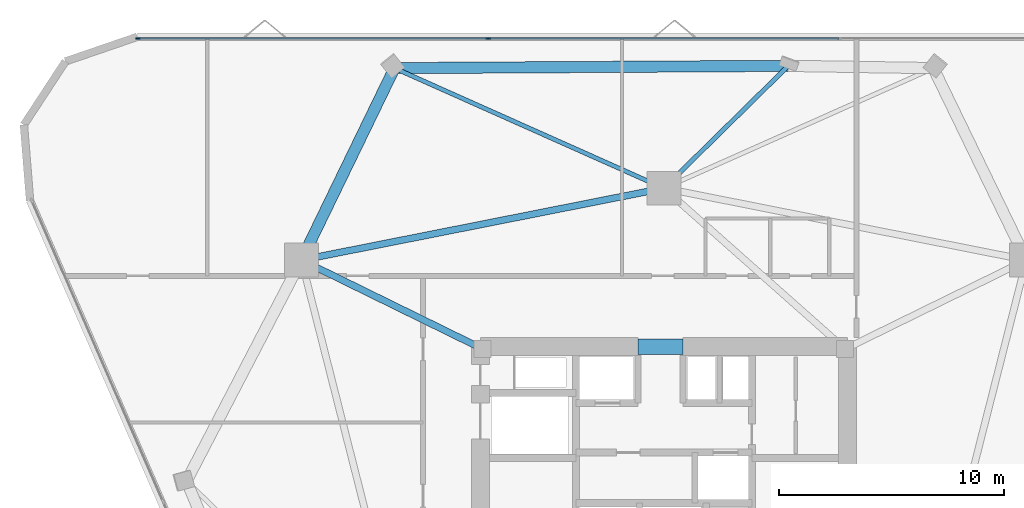
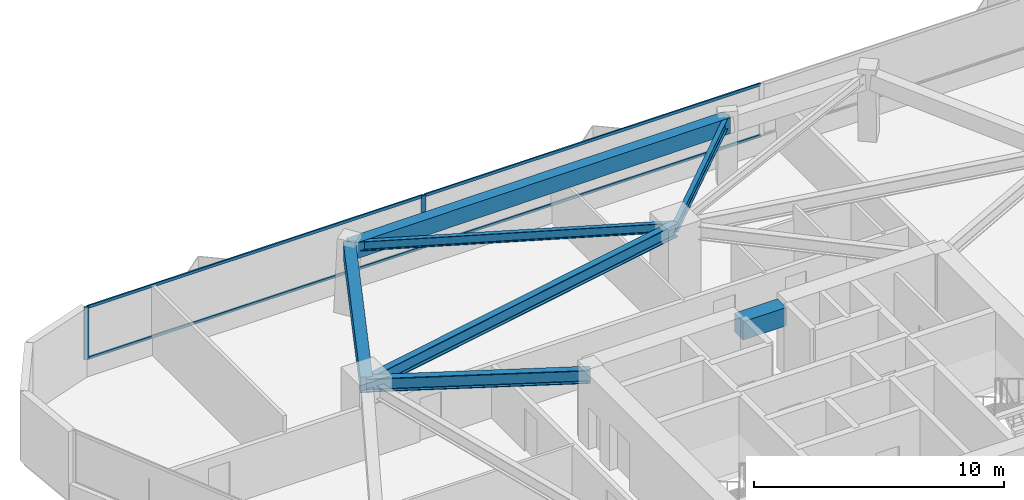
# One storey, part 5 of 12: 7 beams, 6 members, 1 element without a shape of its own.
"""IFC4 building model written with IfcOpenShell, lengths in metres."""

from ifc_helpers import new_model, si_unit, direction, frame, origin, origin_2d, place, context, subcontext, project, spatial, rectangle, i_section, extrude, material, layer, layer_set, material_profile, profile_set, type_object, element, aggregate, save


model = new_model("IFC4")

# Units and contexts
model_context = context("Model", 3, precision=1e-05, world=origin(), true_north=direction((0.0, 1.0)))
body_context = subcontext(model_context, "Body", "Model", "MODEL_VIEW")
ifc_project = project(units=[si_unit("LENGTHUNIT", "METRE"), si_unit("AREAUNIT", "SQUARE_METRE"), si_unit("VOLUMEUNIT", "CUBIC_METRE"), si_unit("PLANEANGLEUNIT", "RADIAN"), si_unit("MASSUNIT", "GRAM", prefix="KILO")], contexts=[model_context])

# Site, building, storey
site_placement = place(None, origin())
site = spatial("IfcSite", under=ifc_project, at=site_placement, CompositionType="ELEMENT")
building_placement = place(site_placement, origin())
building = spatial("IfcBuilding", under=site, at=building_placement, Name="Talyreon Biosciences Tower", CompositionType="ELEMENT")
storey_placement = place(building_placement, frame((0.0, 0.0, 152.75)))
storey = spatial("IfcBuildingStorey", under=building, at=storey_placement, Name="L40", CompositionType="ELEMENT", Elevation=152.75)

# Curtain wall, members
ifc_material_1 = material(Name="Thermally broken aluminium and low-E glazing", Category="aluminium")
ifc_layer = layer(ifc_material_1, 0.205078125)
ifc_layer_set = layer_set([ifc_layer], Name="Thermally broken aluminium and low-E glazing")
curtain_wall_type = type_object("IfcCurtainWallType", Name="CurtainWall_SkyGardenLoggia", PredefinedType="NOTDEFINED", material=ifc_layer_set)
curtain_wall_placement = place(storey_placement, origin())
curtain_wall = element("IfcCurtainWall", 1, at=curtain_wall_placement, inside=storey, type_object=curtain_wall_type, Name="L40 Unitised Curtain Wall FCW-L40-03", PredefinedType="NOTDEFINED")
ifc_material_2 = material(Name="Anodised thermally broken aluminium", Category="aluminium")
ifc_material_profile_1 = material_profile(ifc_material_2, rectangle(XDim=0.074951171875, YDim=0.2099609375, at=origin_2d()), Name="ALUM MULLION 75x210")
ifc_profile_set_1 = profile_set([ifc_material_profile_1], Name="Anodised thermally broken aluminium")
member_type_1 = type_object("IfcMemberType", Name="CWMullion_75x210", PredefinedType="MULLION", material=ifc_profile_set_1)
member_1_placement = place(storey_placement, frame((42.645263671875, 88.439453125, 0.81005859375), z_axis=(0.0, 0.0, 1.0), x_axis=(0.0, 1.0, 0.0)))
member_1 = element("IfcMember", 2, at=member_1_placement, type_object=member_type_1, Name="CW7 mullion 1", PredefinedType="MULLION", context=body_context, shape_type="SweptSolid", body=[
    extrude(rectangle(XDim=0.074951171875, YDim=0.2099609375, at=origin_2d()), origin(), (0.0, 0.0, 1.0), 2.56494140625),
])
member_2_placement = place(storey_placement, frame((58.20263671875, 88.439453125, 0.81005859375), z_axis=(0.0, 0.0, 1.0), x_axis=(0.0, 1.0, 0.0)))
member_2 = element("IfcMember", 3, at=member_2_placement, type_object=member_type_1, Name="CW7 mullion 2", PredefinedType="MULLION", context=body_context, shape_type="SweptSolid", body=[
    extrude(rectangle(XDim=0.074951171875, YDim=0.2099609375, at=origin_2d()), origin(), (0.0, 0.0, 1.0), 2.56494140625),
])
ifc_material_profile_2 = material_profile(ifc_material_2, rectangle(XDim=0.06494140625, YDim=0.139892578125, at=origin_2d()), Name="ALUM TRANSOM 65x140")
ifc_profile_set_2 = profile_set([ifc_material_profile_2], Name="Anodised thermally broken aluminium")
member_type_2 = type_object("IfcMemberType", Name="CWTransom_65x140", PredefinedType="USERDEFINED", material=ifc_profile_set_2)
member_3_placement = place(storey_placement, frame((42.6826171875, 88.439453125, 0.842529296875), z_axis=(1.0, 0.0, 0.0), x_axis=(0.0, 1.0, 0.0)))
member_3 = element("IfcMember", 4, at=member_3_placement, type_object=member_type_2, Name="CW7 transom 1.1", ObjectType="TRANSOM", PredefinedType="USERDEFINED", context=body_context, shape_type="SweptSolid", body=[
    extrude(rectangle(XDim=0.06494140625, YDim=0.139892578125, at=origin_2d()), origin(), (0.0, 0.0, 1.0), 15.482421875),
])
member_4_placement = place(storey_placement, frame((42.6826171875, 88.439453125, 3.342529296875), z_axis=(1.0, 0.0, 0.0), x_axis=(0.0, 1.0, 0.0)))
member_4 = element("IfcMember", 5, at=member_4_placement, type_object=member_type_2, Name="CW7 transom 1.2", ObjectType="TRANSOM", PredefinedType="USERDEFINED", context=body_context, shape_type="SweptSolid", body=[
    extrude(rectangle(XDim=0.06494140625, YDim=0.139892578125, at=origin_2d()), origin(), (0.0, 0.0, 1.0), 15.482421875),
])
member_5_placement = place(storey_placement, frame((58.239990234375, 88.439453125, 0.842529296875), z_axis=(1.0, 0.0, 0.0), x_axis=(0.0, 1.0, 0.0)))
member_5 = element("IfcMember", 6, at=member_5_placement, type_object=member_type_2, Name="CW7 transom 2.1", ObjectType="TRANSOM", PredefinedType="USERDEFINED", context=body_context, shape_type="SweptSolid", body=[
    extrude(rectangle(XDim=0.06494140625, YDim=0.139892578125, at=origin_2d()), origin(), (0.0, 0.0, 1.0), 15.52001953125),
])
member_6_placement = place(storey_placement, frame((58.239990234375, 88.439453125, 3.342529296875), z_axis=(1.0, 0.0, 0.0), x_axis=(0.0, 1.0, 0.0)))
member_6 = element("IfcMember", 7, at=member_6_placement, type_object=member_type_2, Name="CW7 transom 2.2", ObjectType="TRANSOM", PredefinedType="USERDEFINED", context=body_context, shape_type="SweptSolid", body=[
    extrude(rectangle(XDim=0.06494140625, YDim=0.139892578125, at=origin_2d()), origin(), (0.0, 0.0, 1.0), 15.52001953125),
])
aggregate(curtain_wall, [member_1, member_2, member_3, member_4, member_5, member_6])

# Beams
ifc_material_3 = material(Name="Concrete C60/75", Category="concrete")
ifc_material_profile_3 = material_profile(ifc_material_3, rectangle(XDim=0.699951171875, YDim=0.89990234375, at=origin_2d()), Name="RCB 700x900")
ifc_profile_set_3 = profile_set([ifc_material_profile_3], Name="Concrete C60/75")
beam_type_1 = type_object("IfcBeamType", Name="CoreCouplingLintel_700x900", PredefinedType="LINTEL", material=ifc_profile_set_3)
beam_1_placement = place(storey_placement, frame((64.85009765625, 74.75, 2.925048828125), z_axis=(1.0, 0.0, 0.0), x_axis=(0.0, 1.0, 0.0)))
element("IfcBeam", 8, at=beam_1_placement, inside=storey, type_object=beam_type_1, Name="L40 Core Coupling Lintel", PredefinedType="LINTEL", context=body_context, shape_type="SweptSolid", body=[
    extrude(rectangle(XDim=0.699951171875, YDim=0.89990234375, at=origin_2d()), origin(), (0.0, 0.0, 1.0), 2.0),
])
ifc_material_4 = material(Name="Precast concrete C45/55", Category="concrete")
ifc_material_profile_4 = material_profile(ifc_material_4, rectangle(XDim=0.5, YDim=0.780029296875, at=origin_2d()), Name="RCB 500x780")
ifc_profile_set_4 = profile_set([ifc_material_profile_4], Name="Precast concrete C45/55")
beam_type_2 = type_object("IfcBeamType", Name="ExpressedSpandrel_500x780", PredefinedType="SPANDREL", material=ifc_profile_set_4)
beam_2_placement = place(storey_placement, frame((71.523681640625, 87.224853515625, 2.985107421875), z_axis=(-0.999983626439, -0.005722486766, 0.0), x_axis=(0.005722486766, -0.999983626439, 0.0)))
element("IfcBeam", 9, at=beam_2_placement, inside=storey, type_object=beam_type_2, Name="L40 Expressed Horizontal Concrete Spandrel 07", PredefinedType="SPANDREL", context=body_context, shape_type="SweptSolid", body=[
    extrude(rectangle(XDim=0.5, YDim=0.780029296875, at=origin_2d()), origin(), (0.0, 0.0, 1.0), 17.491943359375),
])
beam_3_placement = place(storey_placement, frame((54.031982421875, 87.124755859375, 2.985107421875), z_axis=(-0.436307642681, -0.89979755553, 0.0), x_axis=(0.89979755553, -0.436307642681, 0.0)))
element("IfcBeam", 10, at=beam_3_placement, inside=storey, type_object=beam_type_2, Name="L40 Expressed Horizontal Concrete Spandrel 08", PredefinedType="SPANDREL", context=body_context, shape_type="SweptSolid", body=[
    extrude(rectangle(XDim=0.5, YDim=0.780029296875, at=origin_2d()), origin(), (0.0, 0.0, 1.0), 9.4755859375),
])
ifc_material_5 = material(Name="Steel SM355", Category="steel")
ifc_material_profile_5 = material_profile(ifc_material_5, i_section(OverallWidth=0.300048828125, OverallDepth=0.64990234375, WebThickness=0.01611328125, FlangeThickness=0.031005859375, FilletRadius=0.027099609375, at=origin_2d()), Name="HE650B")
ifc_profile_set_5 = profile_set([ifc_material_profile_5], Name="Steel SM355")
beam_type_3 = type_object("IfcBeamType", Name="SteelBeam_HE650B", PredefinedType="BEAM", material=ifc_profile_set_5)
beam_4_placement = place(storey_placement, frame((66.0, 81.788818359375, 3.050048828125), z_axis=(-0.980933730698, -0.194342522311, 0.0), x_axis=(0.194342522311, -0.980933730698, 0.0)))
element("IfcBeam", 11, at=beam_4_placement, inside=storey, type_object=beam_type_3, Name="L40 Mega-Ring Girder 4", PredefinedType="BEAM", context=body_context, shape_type="SweptSolid", body=[
    extrude(i_section(OverallWidth=0.300048828125, OverallDepth=0.64990234375, WebThickness=0.01611328125, FlangeThickness=0.031005859375, FilletRadius=0.027099609375, at=origin_2d()), origin(), (0.0, 0.0, 1.0), 16.415283203125),
])
beam_5_placement = place(storey_placement, frame((57.949951171875, 74.64990234375, 3.050048828125), z_axis=(-0.897852360314, 0.440296648952, 0.0), x_axis=(-0.440296648952, -0.897852360314, 0.0)))
element("IfcBeam", 12, at=beam_5_placement, inside=storey, type_object=beam_type_3, Name="L40 Radial Primary Girder 5", PredefinedType="BEAM", context=body_context, shape_type="SweptSolid", body=[
    extrude(i_section(OverallWidth=0.300048828125, OverallDepth=0.64990234375, WebThickness=0.01611328125, FlangeThickness=0.031005859375, FilletRadius=0.027099609375, at=origin_2d()), origin(), (0.0, 0.0, 1.0), 8.96826171875),
])
ifc_material_profile_6 = material_profile(ifc_material_5, i_section(OverallWidth=0.18994140625, OverallDepth=0.449951171875, WebThickness=0.009521484375, FlangeThickness=0.0146484375, FilletRadius=0.02099609375, at=origin_2d()), Name="IPE450")
ifc_profile_set_6 = profile_set([ifc_material_profile_6], Name="Steel SM355")
beam_type_4 = type_object("IfcBeamType", Name="SteelJoist_IPE450", PredefinedType="JOIST", material=ifc_profile_set_6)
beam_6_placement = place(storey_placement, frame((66.0, 81.788818359375, 3.14990234375), z_axis=(-0.913334568427, 0.407209977918, 0.0), x_axis=(-0.407209977918, -0.913334568427, 0.0)))
element("IfcBeam", 13, at=beam_6_placement, inside=storey, type_object=beam_type_4, Name="L40 Radial Composite Floor Joist PC-N2", PredefinedType="JOIST", context=body_context, shape_type="SweptSolid", body=[
    extrude(i_section(OverallWidth=0.18994140625, OverallDepth=0.449951171875, WebThickness=0.009521484375, FlangeThickness=0.0146484375, FilletRadius=0.02099609375, at=origin_2d()), origin(), (0.0, 0.0, 1.0), 13.103759765625),
])
ifc_material_profile_7 = material_profile(ifc_material_5, i_section(OverallWidth=0.199951171875, OverallDepth=0.5, WebThickness=0.01025390625, FlangeThickness=0.01611328125, FilletRadius=0.02099609375, at=origin_2d()), Name="IPE500")
ifc_profile_set_7 = profile_set([ifc_material_profile_7], Name="Steel SM355")
beam_type_5 = type_object("IfcBeamType", Name="SteelJoist_IPE500", PredefinedType="JOIST", material=ifc_profile_set_7)
beam_7_placement = place(storey_placement, frame((66.0, 81.788818359375, 3.125), z_axis=(0.712738828204, 0.701429513758, 0.0), x_axis=(-0.701429513758, 0.712738828204, 0.0)))
element("IfcBeam", 14, at=beam_7_placement, inside=storey, type_object=beam_type_5, Name="L40 Radial Composite Floor Joist PL-N", PredefinedType="JOIST", context=body_context, shape_type="SweptSolid", body=[
    extrude(i_section(OverallWidth=0.199951171875, OverallDepth=0.5, WebThickness=0.01025390625, FlangeThickness=0.01611328125, FilletRadius=0.02099609375, at=origin_2d()), origin(), (0.0, 0.0, 1.0), 7.75),
])

save(model, "model.ifc")
